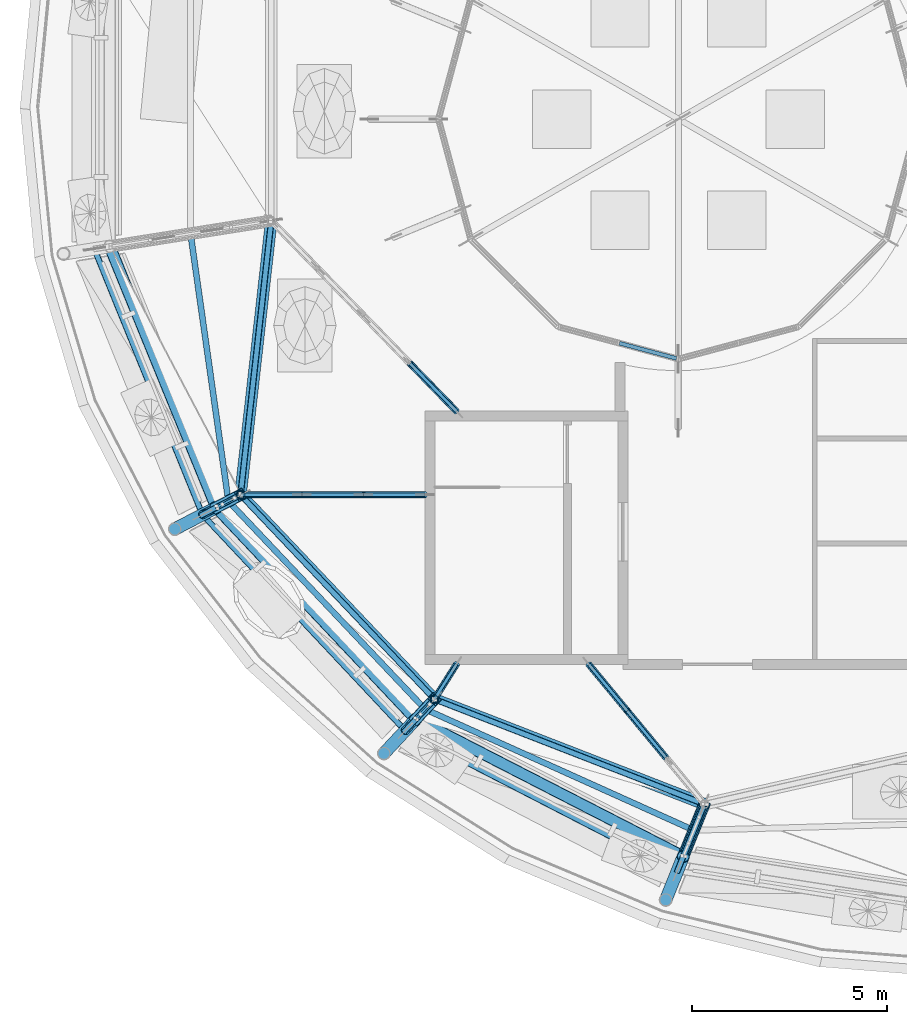
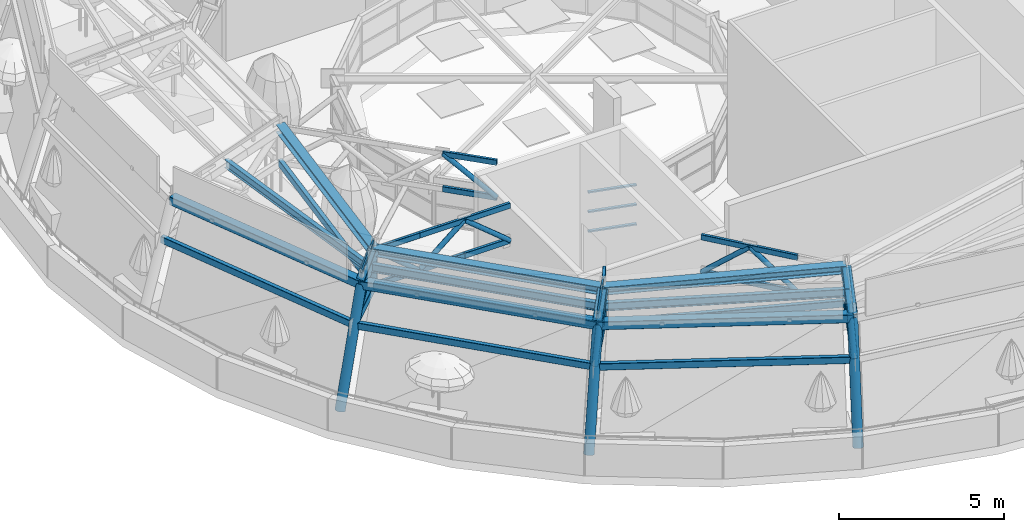
# One storey, part 4 of 40: 43 members, 12 beams, 2 elements without a shape of their own.
"""IFC4 building model written with IfcOpenShell, lengths in metres."""

import ifcopenshell
import ifcopenshell.guid

model = None  # the IFC model being written
_history = None  # IfcOwnerHistory: only IFC2X3 demands one
_inside = {}  # id of a spatial element -> (the spatial element, [elements in it])
_under = {}  # id of a project, library or spatial element -> (it, [spatial elements below it])
_declared = {}  # id of a project -> (the project, [libraries it declares])
_typed = {}  # id of a type object -> (the type object, [elements of that type])
_made_of = {}  # id of a material, layer set ... -> (it, [elements and type objects made of it])


def new_model(schema):
    """Start an empty IFC model of exactly this schema.

    Asked for "IFC4X3", IfcOpenShell would pick the latest addendum, in which some entities
    have other attributes; the version numbers below select the first issue.
    IFC2X3 requires an IfcOwnerHistory on every rooted entity: one is made here for all.
    """
    global model, _history
    if schema == "IFC4X3":
        model = ifcopenshell.file(schema_version=(4, 3, 0, 0))
    else:
        model = ifcopenshell.file(schema=schema)
    _inside.clear()
    _under.clear()
    _declared.clear()
    _typed.clear()
    _made_of.clear()
    _history = None
    if model.schema == "IFC2X3":
        org = make("IfcOrganization", Name="unknown")
        user = make(
            "IfcPersonAndOrganization",
            ThePerson=make("IfcPerson", FamilyName="unknown"),
            TheOrganization=org,
        )
        app = make(
            "IfcApplication",
            ApplicationDeveloper=org,
            Version="unknown",
            ApplicationFullName="unknown",
            ApplicationIdentifier="unknown",
        )
        _history = make(
            "IfcOwnerHistory",
            OwningUser=user,
            OwningApplication=app,
            ChangeAction="ADDED",
            CreationDate=0,
        )
    return model


def make(cls, **values):
    """One entity of the class cls with the attributes given. An attribute that is None is left unset."""
    return model.create_entity(
        cls, **{name: value for name, value in values.items() if value is not None}
    )


def rooted(cls, **values):
    """An entity with a GlobalId (a new one), such as an element, a storey or a relation."""
    return make(cls, GlobalId=ifcopenshell.guid.new(), OwnerHistory=_history, **values)


def si_unit(unit_type, name, prefix=None):
    """IfcSIUnit, for example si_unit("LENGTHUNIT", "METRE", prefix="MILLI")."""
    return make("IfcSIUnit", UnitType=unit_type, Prefix=prefix, Name=name)


def assignment(units):
    """IfcUnitAssignment: the units of a project."""
    return None if units is None else make("IfcUnitAssignment", Units=units)


def point(xyz):
    """IfcCartesianPoint."""
    return None if xyz is None else make("IfcCartesianPoint", Coordinates=xyz)


def direction(xyz):
    """IfcDirection."""
    return None if xyz is None else make("IfcDirection", DirectionRatios=xyz)


def frame(location, z_axis=None, x_axis=None):
    """IfcAxis2Placement3D, a coordinate frame: its origin and axes. An axis left out is left unset."""
    return make(
        "IfcAxis2Placement3D",
        Location=point(location),
        Axis=direction(z_axis),
        RefDirection=direction(x_axis),
    )


def frame_2d(location, x_axis=None):
    """IfcAxis2Placement2D, a coordinate frame in the plane: its origin and x axis."""
    return make(
        "IfcAxis2Placement2D", Location=point(location), RefDirection=direction(x_axis)
    )


def origin():
    """The frame at (0, 0, 0) with its axes left unset."""
    return frame((0.0, 0.0, 0.0))


def origin_2d():
    """The frame at (0, 0) in the plane with its x axis left unset."""
    return frame_2d((0.0, 0.0))


def place(relative_to, where):
    """IfcLocalPlacement: puts the frame where relative to a parent placement (None: the world)."""
    return make(
        "IfcLocalPlacement", PlacementRelTo=relative_to, RelativePlacement=where
    )


def context(
    kind, dimensions, precision=None, world=None, true_north=None, identifier=None
):
    """IfcGeometricRepresentationContext, for example the 3D "Model" context."""
    return make(
        "IfcGeometricRepresentationContext",
        ContextIdentifier=identifier,
        ContextType=kind,
        CoordinateSpaceDimension=dimensions,
        Precision=precision,
        WorldCoordinateSystem=world,
        TrueNorth=true_north,
    )


def subcontext(parent, identifier, kind, view, scale=None):
    """IfcGeometricRepresentationSubContext, for example "Body" below "Model"."""
    return make(
        "IfcGeometricRepresentationSubContext",
        ContextIdentifier=identifier,
        ContextType=kind,
        ParentContext=parent,
        TargetScale=scale,
        TargetView=view,
    )


def project(units=None, contexts=None):
    """IfcProject with its units and contexts."""
    return rooted(
        "IfcProject",
        Name="project",
        RepresentationContexts=contexts,
        UnitsInContext=assignment(units),
    )


def spatial(cls, under=None, at=None, **own):
    """A site, building, storey or space (cls), placed at a placement, below another one or the project."""
    s = rooted(cls, ObjectPlacement=at, **own)
    if under is not None:
        _under.setdefault(under.id(), (under, []))[1].append(s)
    return s


def profile(cls, at=None, kind="AREA", **sizes):
    """A parametric profile (cls). Its sizes go by their IFC names, for example OverallWidth=200.0."""
    return make(cls, ProfileType=kind, Position=at, **sizes)


def rectangle(**sizes):
    """IfcRectangleProfileDef."""
    return profile("IfcRectangleProfileDef", **sizes)


def hollow_rectangle(**sizes):
    """IfcRectangleHollowProfileDef."""
    return profile("IfcRectangleHollowProfileDef", **sizes)


def hollow_circle(**sizes):
    """IfcCircleHollowProfileDef."""
    return profile("IfcCircleHollowProfileDef", **sizes)


def i_section(**sizes):
    """IfcIShapeProfileDef."""
    return profile("IfcIShapeProfileDef", **sizes)


def extrude(swept, where, along, depth):
    """IfcExtrudedAreaSolid: the profile swept, set in the frame where, extruded along a direction by depth."""
    return make(
        "IfcExtrudedAreaSolid",
        SweptArea=swept,
        Position=where,
        ExtrudedDirection=direction(along),
        Depth=depth,
    )


def shape(context_of_items, identifier, shape_type, items):
    """IfcShapeRepresentation: the items that make up one representation, for example the "Body"."""
    return make(
        "IfcShapeRepresentation",
        ContextOfItems=context_of_items,
        RepresentationIdentifier=identifier,
        RepresentationType=shape_type,
        Items=items,
    )


def material(Name=None, Category=None):
    """IfcMaterial."""
    return make("IfcMaterial", Name=Name, Category=Category)


def material_profile(
    of_material, cross_section, Name=None, Category=None, Priority=None
):
    """IfcMaterialProfile: a cross section and its material."""
    return make(
        "IfcMaterialProfile",
        Name=Name,
        Material=of_material,
        Profile=cross_section,
        Priority=Priority,
        Category=Category,
    )


def profile_set(profiles, Name=None, composite=None):
    """IfcMaterialProfileSet."""
    return make(
        "IfcMaterialProfileSet",
        Name=Name,
        MaterialProfiles=profiles,
        CompositeProfile=composite,
    )


def made_of(thing, what):
    """Note that an element or type object is made of a material, layer set ...; save() writes the relation."""
    if what is not None:
        _made_of.setdefault(what.id(), (what, []))[1].append(thing)
    return thing


def type_object(cls, material=None, **own):
    """A type object (cls), such as IfcWallType, which elements share."""
    return made_of(rooted(cls, **own), material)


def element(
    cls,
    number,
    at=None,
    inside=None,
    cuts=None,
    type_object=None,
    material=None,
    context=None,
    identifier="Body",
    shape_type=None,
    held_by="IfcProductDefinitionShape",
    body=None,
    shapes=None,
    **own,
):
    """One element of the class cls, such as IfcWall. Its Tag is "e" and its number.

    at: its placement. inside: the storey or other place that contains it. cuts: it is an
    opening in that element (IfcRelVoidsElement). A single representation is given by context,
    identifier, shape_type and body (its items); several are given by shapes. held_by: the class
    of the entity that holds the representations. save() writes the other relations.
    """
    e = rooted(cls, Tag="e%d" % number, ObjectPlacement=at, **own)
    if body is not None:
        shapes = [shape(context, identifier, shape_type, body)]
    if shapes is not None:
        e.Representation = make(held_by, Representations=shapes)
    if inside is not None:
        _inside.setdefault(inside.id(), (inside, []))[1].append(e)
    if cuts is not None:
        rooted(
            "IfcRelVoidsElement", RelatingBuildingElement=cuts, RelatedOpeningElement=e
        )
    if type_object is not None:
        _typed.setdefault(type_object.id(), (type_object, []))[1].append(e)
    return made_of(e, material)


def aggregate(whole, parts):
    """IfcRelAggregates: a whole, such as a stair, and the parts it consists of."""
    return rooted("IfcRelAggregates", RelatingObject=whole, RelatedObjects=parts)


def save(model, path):
    """Write the relations noted so far, then the file.

    IfcRelAggregates (storeys below a building ...), IfcRelContainedInSpatialStructure (elements
    in a storey), IfcRelDefinesByType, IfcRelAssociatesMaterial and IfcRelDeclares: one each for
    every whole, place, type object, material and project.
    """
    for whole, parts in _under.values():
        aggregate(whole, parts)
    for where, things in _inside.values():
        rooted(
            "IfcRelContainedInSpatialStructure",
            RelatedElements=things,
            RelatingStructure=where,
        )
    for kind, things in _typed.values():
        rooted("IfcRelDefinesByType", RelatedObjects=things, RelatingType=kind)
    for what, things in _made_of.values():
        rooted("IfcRelAssociatesMaterial", RelatedObjects=things, RelatingMaterial=what)
    for by, libraries in _declared.values():
        rooted("IfcRelDeclares", RelatingContext=by, RelatedDefinitions=libraries)
    model.write(path)


model = new_model("IFC4")

# Units and contexts
model_context = context("Model", 3, precision=1e-05, world=origin(), true_north=direction((0.0, 1.0)))
body_context = subcontext(model_context, "Body", "Model", "MODEL_VIEW")
ifc_project = project(units=[si_unit("LENGTHUNIT", "METRE"), si_unit("AREAUNIT", "SQUARE_METRE"), si_unit("VOLUMEUNIT", "CUBIC_METRE"), si_unit("PLANEANGLEUNIT", "RADIAN"), si_unit("MASSUNIT", "GRAM", prefix="KILO")], contexts=[model_context])

# Site, building, storey
site_placement = place(None, origin())
site = spatial("IfcSite", under=ifc_project, at=site_placement, CompositionType="ELEMENT")
building_placement = place(site_placement, origin())
building = spatial("IfcBuilding", under=site, at=building_placement, Name="Taillehof Tower", CompositionType="ELEMENT")
storey_placement = place(building_placement, frame((0.0, 0.0, 275.199951171875)))
storey = spatial("IfcBuildingStorey", under=building, at=storey_placement, Name="L77", CompositionType="ELEMENT", Elevation=275.199951171875)

# Beams
ifc_material_1 = material(Name="Steel S460M", Category="steel")
ifc_material_profile_1 = material_profile(ifc_material_1, i_section(OverallWidth=0.300048828125, OverallDepth=0.2900390625, WebThickness=0.008544921875, FlangeThickness=0.013916015625, FilletRadius=0.027099609375, at=origin_2d()), Name="HEA 300")
ifc_profile_set_1 = profile_set([ifc_material_profile_1], Name="Steel S460M")
beam_type_1 = type_object("IfcBeamType", Name="Canopy apex ring beam HEA 300", PredefinedType="BEAM", material=ifc_profile_set_1)
beam_1_placement = place(storey_placement, frame((-18.451416015625, -2.613037109375, 5.10009765625), z_axis=(-0.111657710432, -0.993746726134, 0.0), x_axis=(0.993746726134, -0.111657710432, 0.0)))
element("IfcBeam", 1, at=beam_1_placement, inside=storey, type_object=beam_type_1, Name="Canopy ring beam CR28", PredefinedType="BEAM", context=body_context, shape_type="SweptSolid", body=[
    extrude(i_section(OverallWidth=0.300048828125, OverallDepth=0.2900390625, WebThickness=0.008544921875, FlangeThickness=0.013916015625, FilletRadius=0.027099609375, at=origin_2d()), origin(), (0.0, 0.0, 1.0), 7.079833984375),
])
beam_2_placement = place(storey_placement, frame((-19.241943359375, -9.648681640625, 5.10009765625), z_axis=(0.688349254865, -0.725379420253, 0.0), x_axis=(0.725379420253, 0.688349254865, 0.0)))
element("IfcBeam", 2, at=beam_2_placement, inside=storey, type_object=beam_type_1, Name="Canopy ring beam CR29", PredefinedType="BEAM", context=body_context, shape_type="SweptSolid", body=[
    extrude(i_section(OverallWidth=0.300048828125, OverallDepth=0.2900390625, WebThickness=0.008544921875, FlangeThickness=0.013916015625, FilletRadius=0.027099609375, at=origin_2d()), origin(), (0.0, 0.0, 1.0), 7.232421875),
])
beam_3_placement = place(storey_placement, frame((-14.263427734375, -14.89501953125, 5.10009765625), z_axis=(0.932132776942, -0.362116674776, 0.0), x_axis=(0.362116674776, 0.932132776942, 0.0)))
element("IfcBeam", 3, at=beam_3_placement, inside=storey, type_object=beam_type_1, Name="Canopy ring beam CR30", PredefinedType="BEAM", context=body_context, shape_type="SweptSolid", body=[
    extrude(i_section(OverallWidth=0.300048828125, OverallDepth=0.2900390625, WebThickness=0.008544921875, FlangeThickness=0.013916015625, FilletRadius=0.027099609375, at=origin_2d()), origin(), (0.0, 0.0, 1.0), 7.435791015625),
])

# Curtain wall, members
ifc_material_2 = material(Name="Aluminium glazing bars with clear laminated safety glass", Category="aluminium")
curtain_wall_type_1 = type_object("IfcCurtainWallType", Name="Canopy glazing", PredefinedType="NOTDEFINED", material=ifc_material_2)
curtain_wall_1_placement = place(storey_placement, origin())
curtain_wall_1 = element("IfcCurtainWall", 4, at=curtain_wall_1_placement, inside=storey, type_object=curtain_wall_type_1, Name="Canopy glazing 4", PredefinedType="NOTDEFINED")
ifc_material_3 = material(Name="Aluminium glazing bar", Category="aluminium")
ifc_material_profile_2 = material_profile(ifc_material_3, rectangle(XDim=0.06005859375, YDim=0.070068359375, at=origin_2d()), Name="AL 60x70")
ifc_profile_set_2 = profile_set([ifc_material_profile_2], Name="Aluminium glazing bar")
member_type_1 = type_object("IfcMemberType", Name="Canopy glazing mullion 60x70", PredefinedType="MULLION", material=ifc_profile_set_2)
member_1_placement = place(storey_placement, frame((-19.863037109375, -9.971923828125, 4.662841796875), z_axis=(0.584233635524, 0.303829048663, 0.752568248275), x_axis=(-0.46138567795, 0.887199670978, 0.0)))
member_1 = element("IfcMember", 5, at=member_1_placement, type_object=member_type_1, Name="Canopy glazing bar 11", PredefinedType="MULLION", context=body_context, shape_type="SweptSolid", body=[
    extrude(rectangle(XDim=0.06005859375, YDim=0.070068359375, at=origin_2d()), origin(), (0.0, 0.0, 1.0), 1.06298828125),
])
member_2_placement = place(storey_placement, frame((-14.740966796875, -15.406982421875, 4.662841796875), z_axis=(0.448818976779, 0.481664991968, 0.752702040382), x_axis=(-0.731611914875, 0.68172135511, 0.0)))
member_2 = element("IfcMember", 6, at=member_2_placement, type_object=member_type_1, Name="Canopy glazing bar 12", PredefinedType="MULLION", context=body_context, shape_type="SweptSolid", body=[
    extrude(rectangle(XDim=0.06005859375, YDim=0.070068359375, at=origin_2d()), origin(), (0.0, 0.0, 1.0), 1.06298828125),
])
aggregate(curtain_wall_1, [member_1, member_2])

# Members
ifc_material_4 = material(Name="Steel S460M", Category="steel")
ifc_material_profile_3 = material_profile(ifc_material_4, hollow_circle(Radius=0.109619140625, WallThickness=0.012451171875, at=origin_2d()), Name="CHS 219.1x12.5")
ifc_profile_set_3 = profile_set([ifc_material_profile_3], Name="Steel S460M")
member_type_2 = type_object("IfcMemberType", Name="Canopy inner ring post CHS 219.1x12.5", PredefinedType="POST", material=ifc_profile_set_3)
for number, where, z_axis, x_axis, name in (
    (7, (-19.241943359375, -9.648681640625, 3.800048828125), (0.0, 0.0, 1.0), (1.0, 0.0, 0.0), "Canopy ring post RP11"),
    (8, (-14.263427734375, -14.89501953125, 3.800048828125), (0.0, 0.0, 1.0), (1.0, 0.0, 0.0), "Canopy ring post RP12"),
):
    element("IfcMember", number, at=place(storey_placement, frame(where, z_axis=z_axis, x_axis=x_axis)), inside=storey, type_object=member_type_2, Name=name, PredefinedType="POST", context=body_context, shape_type="SweptSolid", body=[
        extrude(hollow_circle(Radius=0.109619140625, WallThickness=0.012451171875, at=origin_2d()), origin(), (0.0, 0.0, 1.0), 1.300048828125),
    ])

# Beams
ifc_material_5 = material(Name="Steel S460M", Category="steel")
ifc_material_profile_4 = material_profile(ifc_material_5, hollow_rectangle(XDim=0.14990234375, YDim=0.25, WallThickness=0.010009765625, InnerFilletRadius=0.010009765625, OuterFilletRadius=0.014892578125, at=origin_2d()), Name="RHS 250x150x10")
ifc_profile_set_4 = profile_set([ifc_material_profile_4], Name="Steel S460M")
beam_type_2 = type_object("IfcBeamType", Name="Canopy lower ring beam RHS 250x150x10", PredefinedType="BEAM", material=ifc_profile_set_4)
beam_4_placement = place(storey_placement, frame((-22.99462890625, -3.333984375, 3.0), z_axis=(0.37697888949, -0.926221850789, 0.0), x_axis=(0.926221850789, 0.37697888949, 0.0)))
element("IfcBeam", 9, at=beam_4_placement, inside=storey, type_object=beam_type_2, Name="Canopy lower ring beam CB10", PredefinedType="BEAM", context=body_context, shape_type="SweptSolid", body=[
    extrude(hollow_rectangle(XDim=0.14990234375, YDim=0.25, WallThickness=0.010009765625, InnerFilletRadius=0.010009765625, OuterFilletRadius=0.014892578125, at=origin_2d()), origin(), (0.0, 0.0, 1.0), 7.365478515625),
])
beam_5_placement = place(storey_placement, frame((-20.218017578125, -10.156005859375, 3.0), z_axis=(0.684439739721, -0.729069436124, 0.0), x_axis=(0.729069436124, 0.684439739721, 0.0)))
element("IfcBeam", 10, at=beam_5_placement, inside=storey, type_object=beam_type_2, Name="Canopy lower ring beam CB11", PredefinedType="BEAM", context=body_context, shape_type="SweptSolid", body=[
    extrude(hollow_rectangle(XDim=0.14990234375, YDim=0.25, WallThickness=0.010009765625, InnerFilletRadius=0.010009765625, OuterFilletRadius=0.014892578125, at=origin_2d()), origin(), (0.0, 0.0, 1.0), 7.603759765625),
])
beam_6_placement = place(storey_placement, frame((-15.013671875, -15.69970703125, 3.0), z_axis=(0.888812455992, -0.458271118525, 0.0), x_axis=(0.458271118525, 0.888812455992, 0.0)))
element("IfcBeam", 11, at=beam_6_placement, inside=storey, type_object=beam_type_2, Name="Canopy lower ring beam CB12", PredefinedType="BEAM", context=body_context, shape_type="SweptSolid", body=[
    extrude(hollow_rectangle(XDim=0.14990234375, YDim=0.25, WallThickness=0.010009765625, InnerFilletRadius=0.010009765625, OuterFilletRadius=0.014892578125, at=origin_2d()), origin(), (0.0, 0.0, 1.0), 7.8623046875),
])
beam_7_placement = place(storey_placement, frame((-18.451416015625, -2.613037109375, 3.800048828125), z_axis=(-0.111657710432, -0.993746726134, 0.0), x_axis=(0.993746726134, -0.111657710432, 0.0)))
element("IfcBeam", 12, at=beam_7_placement, inside=storey, type_object=beam_type_2, Name="Canopy lower ring beam CB28", PredefinedType="BEAM", context=body_context, shape_type="SweptSolid", body=[
    extrude(hollow_rectangle(XDim=0.14990234375, YDim=0.25, WallThickness=0.010009765625, InnerFilletRadius=0.010009765625, OuterFilletRadius=0.014892578125, at=origin_2d()), origin(), (0.0, 0.0, 1.0), 7.079833984375),
])
beam_8_placement = place(storey_placement, frame((-19.241943359375, -9.648681640625, 3.800048828125), z_axis=(0.688349254865, -0.725379420253, 0.0), x_axis=(0.725379420253, 0.688349254865, 0.0)))
element("IfcBeam", 13, at=beam_8_placement, inside=storey, type_object=beam_type_2, Name="Canopy lower ring beam CB29", PredefinedType="BEAM", context=body_context, shape_type="SweptSolid", body=[
    extrude(hollow_rectangle(XDim=0.14990234375, YDim=0.25, WallThickness=0.010009765625, InnerFilletRadius=0.010009765625, OuterFilletRadius=0.014892578125, at=origin_2d()), origin(), (0.0, 0.0, 1.0), 7.232421875),
])
beam_9_placement = place(storey_placement, frame((-14.263427734375, -14.89501953125, 3.800048828125), z_axis=(0.932132776942, -0.362116674776, 0.0), x_axis=(0.362116674776, 0.932132776942, 0.0)))
element("IfcBeam", 14, at=beam_9_placement, inside=storey, type_object=beam_type_2, Name="Canopy lower ring beam CB30", PredefinedType="BEAM", context=body_context, shape_type="SweptSolid", body=[
    extrude(hollow_rectangle(XDim=0.14990234375, YDim=0.25, WallThickness=0.010009765625, InnerFilletRadius=0.010009765625, OuterFilletRadius=0.014892578125, at=origin_2d()), origin(), (0.0, 0.0, 1.0), 7.435791015625),
])

# Members
ifc_material_6 = material(Name="Steel S460M", Category="steel")
ifc_material_profile_5 = material_profile(ifc_material_6, i_section(OverallWidth=0.14990234375, OverallDepth=0.300048828125, WebThickness=0.007080078125, FlangeThickness=0.0107421875, FilletRadius=0.014892578125, at=origin_2d()), Name="IPE 300")
ifc_profile_set_5 = profile_set([ifc_material_profile_5], Name="Steel S460M")
member_type_3 = type_object("IfcMemberType", Name="Canopy purlin IPE 300", PredefinedType="PURLIN", material=ifc_profile_set_5)
member_3_placement = place(storey_placement, frame((-20.52490234375, -2.94189453125, 4.699951171875), z_axis=(0.140174699341, -0.990126786661, 0.0), x_axis=(0.990126786661, 0.140174699341, 0.0)))
element("IfcMember", 15, at=member_3_placement, inside=storey, type_object=member_type_3, Name="Canopy purlin CP10", PredefinedType="PURLIN", context=body_context, shape_type="SweptSolid", body=[
    extrude(i_section(OverallWidth=0.14990234375, OverallDepth=0.300048828125, WebThickness=0.007080078125, FlangeThickness=0.0107421875, FilletRadius=0.014892578125, at=origin_2d()), origin(), (0.0, 0.0, 1.0), 6.937255859375),
])
member_4_placement = place(storey_placement, frame((-19.552490234375, -9.810546875, 4.699951171875), z_axis=(0.687083766547, -0.726578211721, 0.0), x_axis=(0.726578211721, 0.687083766547, 0.0)))
element("IfcMember", 16, at=member_4_placement, inside=storey, type_object=member_type_3, Name="Canopy purlin CP11", PredefinedType="PURLIN", context=body_context, shape_type="SweptSolid", body=[
    extrude(i_section(OverallWidth=0.14990234375, OverallDepth=0.300048828125, WebThickness=0.007080078125, FlangeThickness=0.0107421875, FilletRadius=0.014892578125, at=origin_2d()), origin(), (0.0, 0.0, 1.0), 7.349853515625),
])
member_5_placement = place(storey_placement, frame((-14.50244140625, -15.15087890625, 4.699951171875), z_axis=(0.911682280219, -0.410895874809, 0.0), x_axis=(0.410895874809, 0.911682280219, 0.0)))
element("IfcMember", 17, at=member_5_placement, inside=storey, type_object=member_type_3, Name="Canopy purlin CP12", PredefinedType="PURLIN", context=body_context, shape_type="SweptSolid", body=[
    extrude(i_section(OverallWidth=0.14990234375, OverallDepth=0.300048828125, WebThickness=0.007080078125, FlangeThickness=0.0107421875, FilletRadius=0.014892578125, at=origin_2d()), origin(), (0.0, 0.0, 1.0), 7.566650390625),
])
ifc_material_7 = material(Name="Steel S460M", Category="steel")
ifc_material_profile_6 = material_profile(ifc_material_7, hollow_rectangle(XDim=0.300048828125, YDim=0.300048828125, WallThickness=0.012451171875, InnerFilletRadius=0.012451171875, OuterFilletRadius=0.018798828125, at=origin_2d()), Name="RHS 300x300x12.5")
ifc_profile_set_6 = profile_set([ifc_material_profile_6], Name="Steel S460M")
member_type_4 = type_object("IfcMemberType", Name="Canopy rafter RHS 300x300x12.5", PredefinedType="RAFTER", material=ifc_profile_set_6)
for number, where, z_axis, x_axis, name in (
    (18, (-19.863037109375, -9.9716796875, 4.300048828125), (0.584233635524, 0.303829048663, 0.752568248275), (-0.46138567795, 0.887199670978, 0.0), "Canopy rafter 11 top chord 1"),
    (19, (-14.74072265625, -15.406982421875, 4.300048828125), (0.44900237194, 0.481615331948, 0.752624436239), (-0.731437924118, 0.681908031307, 0.0), "Canopy rafter 12 top chord 1"),
):
    element("IfcMember", number, at=place(storey_placement, frame(where, z_axis=z_axis, x_axis=x_axis)), inside=storey, type_object=member_type_4, Name=name, PredefinedType="RAFTER", context=body_context, shape_type="SweptSolid", body=[
        extrude(hollow_rectangle(XDim=0.300048828125, YDim=0.300048828125, WallThickness=0.012451171875, InnerFilletRadius=0.012451171875, OuterFilletRadius=0.018798828125, at=origin_2d()), origin(), (0.0, 0.0, 1.0), 1.06298828125),
    ])
member_6_placement = place(storey_placement, frame((-7.875732421875, -18.931884765625, 4.300048828125), z_axis=(0.328170692715, 0.811728586743, 0.483115615466), x_axis=(-0.927100106717, 0.374813809944, 0.0)))
element("IfcMember", 20, at=member_6_placement, inside=storey, type_object=member_type_4, Name="Canopy rafter 13 top chord 1", PredefinedType="RAFTER", context=body_context, shape_type="SweptSolid", body=[
    extrude(hollow_rectangle(XDim=0.300048828125, YDim=0.300048828125, WallThickness=0.012451171875, InnerFilletRadius=0.012451171875, OuterFilletRadius=0.018798828125, at=origin_2d()), origin(), (0.0, 0.0, 1.0), 1.656005859375),
])
ifc_material_8 = material(Name="Steel S460M", Category="steel")
ifc_material_profile_7 = material_profile(ifc_material_8, hollow_rectangle(XDim=0.14990234375, YDim=0.25, WallThickness=0.010009765625, InnerFilletRadius=0.010009765625, OuterFilletRadius=0.014892578125, at=origin_2d()), Name="RHS 250x150x10")
ifc_profile_set_7 = profile_set([ifc_material_profile_7], Name="Steel S460M")
member_type_5 = type_object("IfcMemberType", Name="Canopy rafter bottom chord RHS 250x150x10", PredefinedType="CHORD", material=ifc_profile_set_7)
member_7_placement = place(storey_placement, frame((-20.218017578125, -10.156005859375, 3.0), z_axis=(0.717589735805, 0.372974354928, 0.588179480799), x_axis=(-0.461185017845, 0.887303994872, 0.0)))
element("IfcMember", 21, at=member_7_placement, inside=storey, type_object=member_type_5, Name="Canopy rafter 11 bottom chord 1", PredefinedType="CHORD", context=body_context, shape_type="SweptSolid", body=[
    extrude(hollow_rectangle(XDim=0.14990234375, YDim=0.25, WallThickness=0.010009765625, InnerFilletRadius=0.010009765625, OuterFilletRadius=0.014892578125, at=origin_2d()), origin(), (0.0, 0.0, 1.0), 1.360107421875),
])
member_8_placement = place(storey_placement, frame((-15.013671875, -15.69970703125, 3.0), z_axis=(0.551520949642, 0.591543459167, 0.588133469566), x_axis=(-0.731416758344, 0.681930733735, 0.0)))
element("IfcMember", 22, at=member_8_placement, inside=storey, type_object=member_type_5, Name="Canopy rafter 12 bottom chord 1", PredefinedType="CHORD", context=body_context, shape_type="SweptSolid", body=[
    extrude(hollow_rectangle(XDim=0.14990234375, YDim=0.25, WallThickness=0.010009765625, InnerFilletRadius=0.010009765625, OuterFilletRadius=0.014892578125, at=origin_2d()), origin(), (0.0, 0.0, 1.0), 1.3603515625),
])
member_9_placement = place(storey_placement, frame((-8.025634765625, -19.302734375, 3.0), z_axis=(0.344008858023, 0.85093740409, 0.396942615402), x_axis=(-0.927105187273, 0.374801242969, 0.0)))
element("IfcMember", 23, at=member_9_placement, inside=storey, type_object=member_type_5, Name="Canopy rafter 13 bottom chord 1", PredefinedType="CHORD", context=body_context, shape_type="SweptSolid", body=[
    extrude(hollow_rectangle(XDim=0.14990234375, YDim=0.25, WallThickness=0.010009765625, InnerFilletRadius=0.010009765625, OuterFilletRadius=0.014892578125, at=origin_2d()), origin(), (0.0, 0.0, 1.0), 2.015625),
])
ifc_material_9 = material(Name="Steel S460M", Category="steel")
ifc_material_profile_8 = material_profile(ifc_material_9, hollow_circle(Radius=0.109619140625, WallThickness=0.012451171875, at=origin_2d()), Name="CHS 219.1x12.5")
ifc_profile_set_8 = profile_set([ifc_material_profile_8], Name="Steel S460M")
member_type_6 = type_object("IfcMemberType", Name="Canopy rafter diagonal CHS 219.1x12.5", PredefinedType="BRACE", material=ifc_profile_set_8)
for number, where, z_axis, x_axis, name in (
    (24, (-20.218017578125, -10.156005859375, 3.0), (0.411713418354, 0.213992116894, 0.885832622483), (-0.461185017845, 0.887303994872, 0.0), "Canopy rafter 11 diagonal 1"),
    (25, (-15.013671875, -15.69970703125, 3.0), (0.316448912501, 0.339412826425, 0.885809809742), (-0.731416758344, 0.681930733735, 0.0), "Canopy rafter 12 diagonal 1"),
):
    element("IfcMember", number, at=place(storey_placement, frame(where, z_axis=z_axis, x_axis=x_axis)), inside=storey, type_object=member_type_6, Name=name, PredefinedType="BRACE", context=body_context, shape_type="SweptSolid", body=[
        extrude(hollow_circle(Radius=0.109619140625, WallThickness=0.012451171875, at=origin_2d()), origin(), (0.0, 0.0, 1.0), 2.370849609375),
    ])
member_10_placement = place(storey_placement, frame((-8.025634765625, -19.302734375, 3.0), z_axis=(0.247743970173, 0.612817391009, 0.750385081488), x_axis=(-0.927105187273, 0.374801242969, 0.0)))
element("IfcMember", 26, at=member_10_placement, inside=storey, type_object=member_type_6, Name="Canopy rafter 13 diagonal 1", PredefinedType="BRACE", context=body_context, shape_type="SweptSolid", body=[
    extrude(hollow_circle(Radius=0.109619140625, WallThickness=0.012451171875, at=origin_2d()), origin(), (0.0, 0.0, 1.0), 2.798583984375),
])
ifc_material_10 = material(Name="Steel S460M", Category="steel")
ifc_material_profile_9 = material_profile(ifc_material_10, hollow_circle(Radius=0.161865234375, WallThickness=0.01611328125, at=origin_2d()), Name="CHS 323.9x16")
ifc_profile_set_9 = profile_set([ifc_material_profile_9], Name="Steel S460M")
member_type_7 = type_object("IfcMemberType", Name="Canopy raking column CHS 323.9x16", PredefinedType="POST", material=ifc_profile_set_9)
member_11_placement = place(storey_placement, frame((-20.927978515625, -10.52490234375, 0.300048828125), z_axis=(0.255006080886, 0.132472209832, 0.957822014955), x_axis=(-0.460993989424, 0.887403257665, 0.0)))
element("IfcMember", 27, at=member_11_placement, inside=storey, type_object=member_type_7, Name="Canopy raking column CC11", PredefinedType="POST", context=body_context, shape_type="SweptSolid", body=[
    extrude(hollow_circle(Radius=0.161865234375, WallThickness=0.01611328125, at=origin_2d()), origin(), (0.0, 0.0, 1.0), 4.176025390625),
])
for number, where, z_axis, x_axis, name in (
    (28, (-15.55908203125, -16.284912109375, 0.300048828125), (0.195958874927, 0.210223184439, 0.95781330752), (-0.731488046885, 0.681854263948, 0.0), "Canopy raking column CC12"),
    (29, (-8.32568359375, -20.04443359375, 0.300048828125), (0.107743082361, 0.266405440217, 0.9578202178), (-0.927052903171, 0.374930546531, 0.0), "Canopy raking column CC13"),
):
    element("IfcMember", number, at=place(storey_placement, frame(where, z_axis=z_axis, x_axis=x_axis)), inside=storey, type_object=member_type_7, Name=name, PredefinedType="POST", context=body_context, shape_type="SweptSolid", body=[
        extrude(hollow_circle(Radius=0.161865234375, WallThickness=0.01611328125, at=origin_2d()), origin(), (0.0, 0.0, 1.0), 4.17626953125),
    ])

# Beams
ifc_material_11 = material(Name="Steel S460M", Category="steel")
ifc_material_profile_10 = material_profile(ifc_material_11, hollow_rectangle(XDim=0.300048828125, YDim=0.300048828125, WallThickness=0.012451171875, InnerFilletRadius=0.012451171875, OuterFilletRadius=0.018798828125, at=origin_2d()), Name="RHS 300x300x12.5")
ifc_profile_set_10 = profile_set([ifc_material_profile_10], Name="Steel S460M")
beam_type_3 = type_object("IfcBeamType", Name="Canopy ring beam RHS 300x300x12.5", PredefinedType="BEAM", material=ifc_profile_set_10)
beam_10_placement = place(storey_placement, frame((-22.599365234375, -3.271240234375, 4.300048828125), z_axis=(0.378069300339, -0.92577729727, 0.0), x_axis=(0.92577729727, 0.378069300339, 0.0)))
element("IfcBeam", 30, at=beam_10_placement, inside=storey, type_object=beam_type_3, Name="Canopy ring beam CR10", PredefinedType="BEAM", context=body_context, shape_type="SweptSolid", body=[
    extrude(hollow_rectangle(XDim=0.300048828125, YDim=0.300048828125, WallThickness=0.012451171875, InnerFilletRadius=0.012451171875, OuterFilletRadius=0.018798828125, at=origin_2d()), origin(), (0.0, 0.0, 1.0), 7.237548828125),
])
beam_11_placement = place(storey_placement, frame((-19.863037109375, -9.9716796875, 4.300048828125), z_axis=(0.685842766709, -0.7277497505, 0.0), x_axis=(0.7277497505, 0.685842766709, 0.0)))
element("IfcBeam", 31, at=beam_11_placement, inside=storey, type_object=beam_type_3, Name="Canopy ring beam CR11", PredefinedType="BEAM", context=body_context, shape_type="SweptSolid", body=[
    extrude(hollow_rectangle(XDim=0.300048828125, YDim=0.300048828125, WallThickness=0.012451171875, InnerFilletRadius=0.012451171875, OuterFilletRadius=0.018798828125, at=origin_2d()), origin(), (0.0, 0.0, 1.0), 7.46875),
])
beam_12_placement = place(storey_placement, frame((-14.74072265625, -15.406982421875, 4.300048828125), z_axis=(0.889586127261, -0.456767470585, 0.0), x_axis=(0.456767470585, 0.889586127261, 0.0)))
element("IfcBeam", 32, at=beam_12_placement, inside=storey, type_object=beam_type_3, Name="Canopy ring beam CR12", PredefinedType="BEAM", context=body_context, shape_type="SweptSolid", body=[
    extrude(hollow_rectangle(XDim=0.300048828125, YDim=0.300048828125, WallThickness=0.012451171875, InnerFilletRadius=0.012451171875, OuterFilletRadius=0.018798828125, at=origin_2d()), origin(), (0.0, 0.0, 1.0), 7.717041015625),
])

# Members
ifc_material_12 = material(Name="Steel S460M", Category="steel")
ifc_material_profile_11 = material_profile(ifc_material_12, hollow_rectangle(XDim=0.10009765625, YDim=0.199951171875, WallThickness=0.008056640625, InnerFilletRadius=0.008056640625, OuterFilletRadius=0.011962890625, at=origin_2d()), Name="RHS 200x100x8")
ifc_profile_set_11 = profile_set([ifc_material_profile_11], Name="Steel S460M")
member_type_8 = type_object("IfcMemberType", Name="Canopy spur chord RHS 200x100x8", PredefinedType="CHORD", material=ifc_profile_set_11)
for number, where, z_axis, x_axis, name in (
    (33, (-14.887939453125, -6.2783203125, 5.10009765625), (0.697152042125, -0.716923308424, 0.0), (0.716923308424, 0.697152042125, 0.0), "Canopy rafter S10 top chord 4"),
    (34, (-14.887939453125, -6.2783203125, 3.800048828125), (0.697152042125, -0.716923308424, 0.0), (0.716923308424, 0.697152042125, 0.0), "Canopy rafter S10 bottom chord 4"),
):
    element("IfcMember", number, at=place(storey_placement, frame(where, z_axis=z_axis, x_axis=x_axis)), inside=storey, type_object=member_type_8, Name=name, PredefinedType="CHORD", context=body_context, shape_type="SweptSolid", body=[
        extrude(hollow_rectangle(XDim=0.10009765625, YDim=0.199951171875, WallThickness=0.008056640625, InnerFilletRadius=0.008056640625, OuterFilletRadius=0.011962890625, at=origin_2d()), origin(), (0.0, 0.0, 1.0), 1.7041015625),
    ])
for number, where, z_axis, x_axis, name in (
    (35, (-19.241943359375, -9.648681640625, 5.10009765625), (1.0, 0.0, 0.0), (0.0, 1.0, 0.0), "Canopy rafter S11 top chord 1"),
    (36, (-19.241943359375, -9.648681640625, 3.800048828125), (1.0, 0.0, 0.0), (0.0, 1.0, 0.0), "Canopy rafter S11 bottom chord 1"),
):
    element("IfcMember", number, at=place(storey_placement, frame(where, z_axis=z_axis, x_axis=x_axis)), inside=storey, type_object=member_type_8, Name=name, PredefinedType="CHORD", context=body_context, shape_type="SweptSolid", body=[
        extrude(hollow_rectangle(XDim=0.10009765625, YDim=0.199951171875, WallThickness=0.008056640625, InnerFilletRadius=0.008056640625, OuterFilletRadius=0.011962890625, at=origin_2d()), origin(), (0.0, 0.0, 1.0), 1.58056640625),
    ])
for number, where, z_axis, x_axis, name in (
    (37, (-17.661376953125, -9.648681640625, 5.10009765625), (1.0, 0.0, 0.0), (0.0, 1.0, 0.0), "Canopy rafter S11 top chord 2"),
    (38, (-17.661376953125, -9.648681640625, 3.800048828125), (1.0, 0.0, 0.0), (0.0, 1.0, 0.0), "Canopy rafter S11 bottom chord 2"),
):
    element("IfcMember", number, at=place(storey_placement, frame(where, z_axis=z_axis, x_axis=x_axis)), inside=storey, type_object=member_type_8, Name=name, PredefinedType="CHORD", context=body_context, shape_type="SweptSolid", body=[
        extrude(hollow_rectangle(XDim=0.10009765625, YDim=0.199951171875, WallThickness=0.008056640625, InnerFilletRadius=0.008056640625, OuterFilletRadius=0.011962890625, at=origin_2d()), origin(), (0.0, 0.0, 1.0), 1.580810546875),
    ])
for number, where, z_axis, x_axis, name in (
    (39, (-16.08056640625, -9.648681640625, 5.10009765625), (1.0, 0.0, 0.0), (0.0, 1.0, 0.0), "Canopy rafter S11 top chord 3"),
    (40, (-16.08056640625, -9.648681640625, 3.800048828125), (1.0, 0.0, 0.0), (0.0, 1.0, 0.0), "Canopy rafter S11 bottom chord 3"),
):
    element("IfcMember", number, at=place(storey_placement, frame(where, z_axis=z_axis, x_axis=x_axis)), inside=storey, type_object=member_type_8, Name=name, PredefinedType="CHORD", context=body_context, shape_type="SweptSolid", body=[
        extrude(hollow_rectangle(XDim=0.10009765625, YDim=0.199951171875, WallThickness=0.008056640625, InnerFilletRadius=0.008056640625, OuterFilletRadius=0.011962890625, at=origin_2d()), origin(), (0.0, 0.0, 1.0), 1.58056640625),
    ])
for number, where, z_axis, x_axis, name in (
    (41, (-14.263427734375, -14.89501953125, 5.10009765625), (0.532776534482, 0.846255968549, 0.0), (-0.846255968549, 0.532776534482, 0.0), "Canopy rafter S12 top chord 1"),
    (42, (-14.263427734375, -14.89501953125, 3.800048828125), (0.532776534482, 0.846255968549, 0.0), (-0.846255968549, 0.532776534482, 0.0), "Canopy rafter S12 bottom chord 1"),
):
    element("IfcMember", number, at=place(storey_placement, frame(where, z_axis=z_axis, x_axis=x_axis)), inside=storey, type_object=member_type_8, Name=name, PredefinedType="CHORD", context=body_context, shape_type="SweptSolid", body=[
        extrude(hollow_rectangle(XDim=0.10009765625, YDim=0.199951171875, WallThickness=0.008056640625, InnerFilletRadius=0.008056640625, OuterFilletRadius=0.011962890625, at=origin_2d()), origin(), (0.0, 0.0, 1.0), 1.0576171875),
    ])
for number, where, z_axis, x_axis, name in (
    (43, (-8.321533203125, -16.3916015625, 5.10009765625), (-0.637426045228, 0.770511542331, 0.0), (-0.770511542331, -0.637426045228, 0.0), "Canopy rafter S13 top chord 2"),
    (44, (-8.321533203125, -16.3916015625, 3.800048828125), (-0.637426045228, 0.770511542331, 0.0), (-0.770511542331, -0.637426045228, 0.0), "Canopy rafter S13 bottom chord 2"),
    (45, (-9.310791015625, -15.19580078125, 5.10009765625), (-0.637426045228, 0.770511542331, 0.0), (-0.770511542331, -0.637426045228, 0.0), "Canopy rafter S13 top chord 3"),
    (46, (-9.310791015625, -15.19580078125, 3.800048828125), (-0.637426045228, 0.770511542331, 0.0), (-0.770511542331, -0.637426045228, 0.0), "Canopy rafter S13 bottom chord 3"),
):
    element("IfcMember", number, at=place(storey_placement, frame(where, z_axis=z_axis, x_axis=x_axis)), inside=storey, type_object=member_type_8, Name=name, PredefinedType="CHORD", context=body_context, shape_type="SweptSolid", body=[
        extrude(hollow_rectangle(XDim=0.10009765625, YDim=0.199951171875, WallThickness=0.008056640625, InnerFilletRadius=0.008056640625, OuterFilletRadius=0.011962890625, at=origin_2d()), origin(), (0.0, 0.0, 1.0), 1.552001953125),
    ])
ifc_material_13 = material(Name="Steel S460M", Category="steel")
ifc_material_profile_12 = material_profile(ifc_material_13, hollow_circle(Radius=0.084228515625, WallThickness=0.008056640625, at=origin_2d()), Name="CHS 168.3x8")
ifc_profile_set_12 = profile_set([ifc_material_profile_12], Name="Steel S460M")
member_type_9 = type_object("IfcMemberType", Name="Canopy spur diagonal CHS 168.3x8", PredefinedType="BRACE", material=ifc_profile_set_12)
member_12_placement = place(storey_placement, frame((-14.887939453125, -6.2783203125, 5.10009765625), z_axis=(0.554267342515, -0.569986391686, -0.606550266932), x_axis=(0.716923308424, 0.697152042125, 0.0)))
element("IfcMember", 47, at=member_12_placement, inside=storey, type_object=member_type_9, Name="Canopy rafter S10 diagonal 4", PredefinedType="BRACE", context=body_context, shape_type="SweptSolid", body=[
    extrude(hollow_circle(Radius=0.084228515625, WallThickness=0.008056640625, at=origin_2d()), origin(), (0.0, 0.0, 1.0), 2.143310546875),
])
for number, where, z_axis, x_axis, name in (
    (48, (-19.241943359375, -9.648681640625, 5.10009765625), (0.772312330285, 0.0, -0.635242996411), (0.0, 1.0, 0.0), "Canopy rafter S11 diagonal 1"),
    (49, (-17.661376953125, -9.648681640625, 3.800048828125), (0.772360462963, 0.0, 0.635184473402), (0.0, 1.0, 0.0), "Canopy rafter S11 diagonal 2"),
    (50, (-16.08056640625, -9.648681640625, 5.10009765625), (0.772312330285, 0.0, -0.635242996411), (0.0, 1.0, 0.0), "Canopy rafter S11 diagonal 3"),
):
    element("IfcMember", number, at=place(storey_placement, frame(where, z_axis=z_axis, x_axis=x_axis)), inside=storey, type_object=member_type_9, Name=name, PredefinedType="BRACE", context=body_context, shape_type="SweptSolid", body=[
        extrude(hollow_circle(Radius=0.084228515625, WallThickness=0.008056640625, at=origin_2d()), origin(), (0.0, 0.0, 1.0), 2.046630859375),
    ])
member_13_placement = place(storey_placement, frame((-14.263427734375, -14.89501953125, 5.10009765625), z_axis=(0.336220151604, 0.534048126421, -0.775724569884), x_axis=(-0.846255968549, 0.532776534482, 0.0)))
element("IfcMember", 51, at=member_13_placement, inside=storey, type_object=member_type_9, Name="Canopy rafter S12 diagonal 1", PredefinedType="BRACE", context=body_context, shape_type="SweptSolid", body=[
    extrude(hollow_circle(Radius=0.084228515625, WallThickness=0.008056640625, at=origin_2d()), origin(), (0.0, 0.0, 1.0), 1.676025390625),
])
for number, where, z_axis, x_axis, name in (
    (52, (-8.321533203125, -16.3916015625, 3.800048828125), (-0.488637233061, 0.590657741247, 0.642150361809), (-0.770511542331, -0.637426045228, 0.0), "Canopy rafter S13 diagonal 2"),
    (53, (-9.310791015625, -15.19580078125, 5.10009765625), (-0.488637233061, 0.590657741247, -0.642150361809), (-0.770511542331, -0.637426045228, 0.0), "Canopy rafter S13 diagonal 3"),
):
    element("IfcMember", number, at=place(storey_placement, frame(where, z_axis=z_axis, x_axis=x_axis)), inside=storey, type_object=member_type_9, Name=name, PredefinedType="BRACE", context=body_context, shape_type="SweptSolid", body=[
        extrude(hollow_circle(Radius=0.084228515625, WallThickness=0.008056640625, at=origin_2d()), origin(), (0.0, 0.0, 1.0), 2.0244140625),
    ])

# Curtain wall, members
ifc_material_14 = material(Name="Aluminium curtain wall with Clear low-emissivity double glazing", Category="aluminium")
curtain_wall_type_2 = type_object("IfcCurtainWallType", Name="Roof lantern curtain wall", PredefinedType="USERDEFINED", material=ifc_material_14)
curtain_wall_2_placement = place(storey_placement, origin())
curtain_wall_2 = element("IfcCurtainWall", 54, at=curtain_wall_2_placement, inside=storey, type_object=curtain_wall_type_2, Name="Roof lantern bay 9", ObjectType="WINDOW WALL", PredefinedType="USERDEFINED")
ifc_material_15 = material(Name="Aluminium transom", Category="aluminium")
ifc_material_profile_13 = material_profile(ifc_material_15, rectangle(XDim=0.10009765625, YDim=0.050048828125, at=origin_2d()), Name="AL 100x50")
ifc_profile_set_13 = profile_set([ifc_material_profile_13], Name="Aluminium transom")
member_type_10 = type_object("IfcMemberType", Name="Roof lantern transom 100x50", PredefinedType="USERDEFINED", material=ifc_profile_set_13)
member_14_placement = place(storey_placement, frame((-9.515869140625, -5.75390625, 0.025146484375), z_axis=(0.965951637337, -0.25872269774, 0.0), x_axis=(0.25872269774, 0.965951637337, 0.0)))
member_14 = element("IfcMember", 55, at=member_14_placement, type_object=member_type_10, Name="CT709 transom 2.1", ObjectType="TRANSOM", PredefinedType="USERDEFINED", context=body_context, shape_type="SweptSolid", body=[
    extrude(rectangle(XDim=0.10009765625, YDim=0.050048828125, at=origin_2d()), origin(), (0.0, 0.0, 1.0), 1.519287109375),
])
member_15_placement = place(storey_placement, frame((-9.515869140625, -5.75390625, 0.75), z_axis=(0.965951637337, -0.25872269774, 0.0), x_axis=(0.25872269774, 0.965951637337, 0.0)))
member_15 = element("IfcMember", 56, at=member_15_placement, type_object=member_type_10, Name="CT709 transom 2.2", ObjectType="TRANSOM", PredefinedType="USERDEFINED", context=body_context, shape_type="SweptSolid", body=[
    extrude(rectangle(XDim=0.10009765625, YDim=0.050048828125, at=origin_2d()), origin(), (0.0, 0.0, 1.0), 1.519287109375),
])
member_16_placement = place(storey_placement, frame((-9.515869140625, -5.75390625, 1.47509765625), z_axis=(0.965951637337, -0.25872269774, 0.0), x_axis=(0.25872269774, 0.965951637337, 0.0)))
member_16 = element("IfcMember", 57, at=member_16_placement, type_object=member_type_10, Name="CT709 transom 2.3", ObjectType="TRANSOM", PredefinedType="USERDEFINED", context=body_context, shape_type="SweptSolid", body=[
    extrude(rectangle(XDim=0.10009765625, YDim=0.050048828125, at=origin_2d()), origin(), (0.0, 0.0, 1.0), 1.519287109375),
])
aggregate(curtain_wall_2, [member_14, member_15, member_16])

save(model, "model.ifc")
